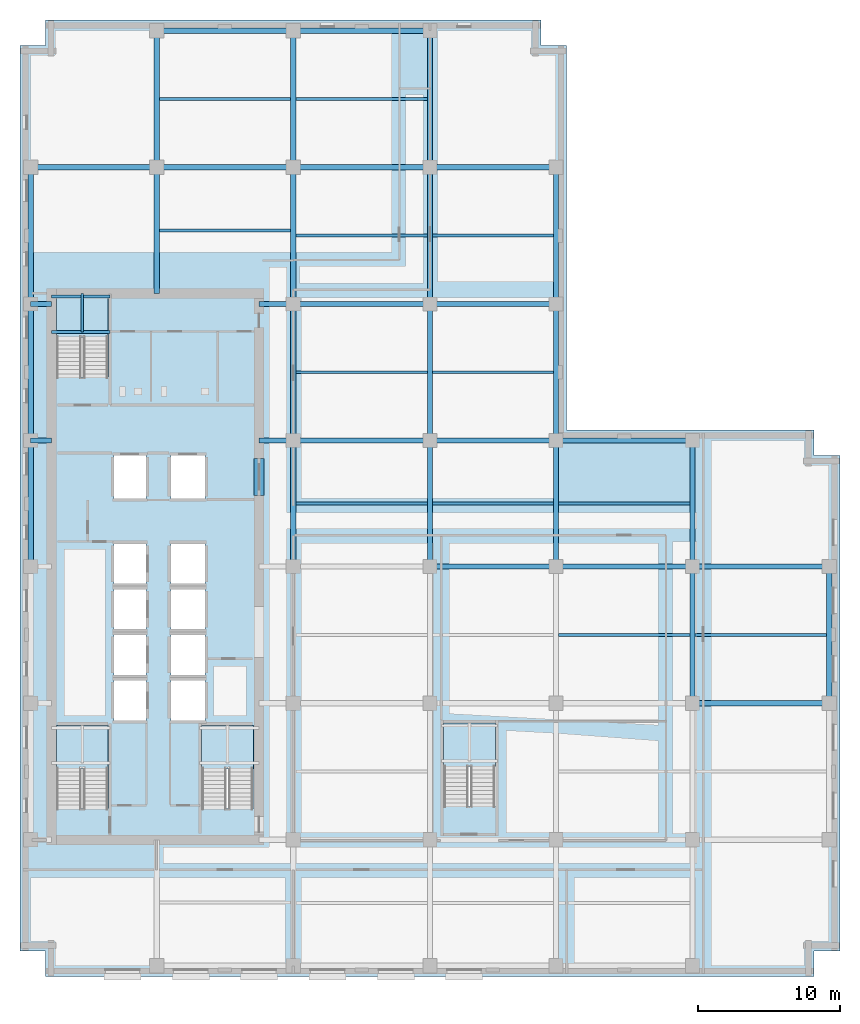
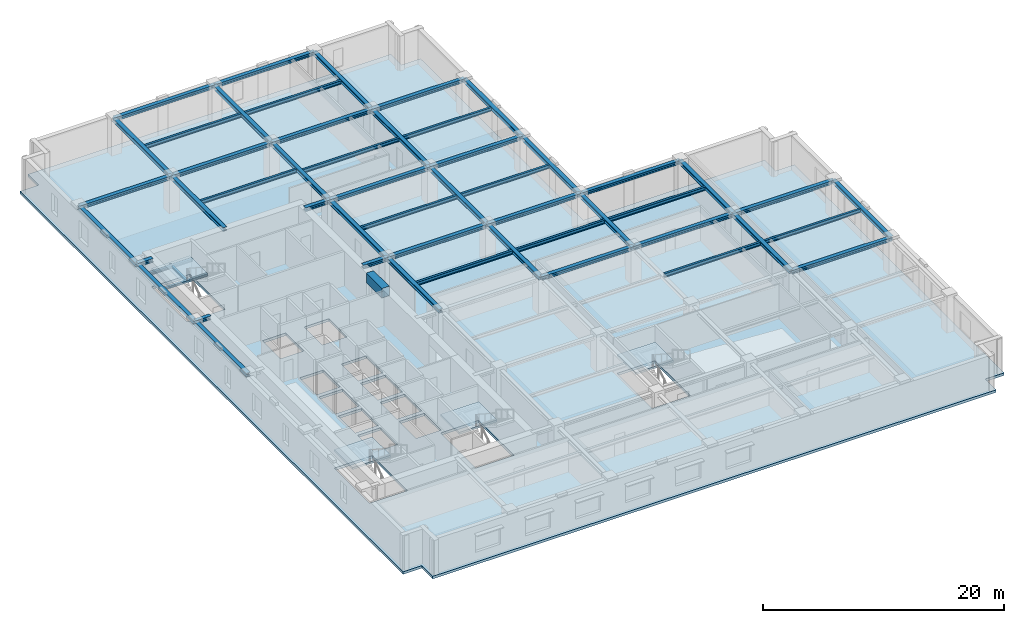
# One storey, part 2 of 12: 54 beams, 5 slabs, 4 elements without a shape of their own.
"""IFC4 building model written with IfcOpenShell, lengths in metres."""

import ifcopenshell
import ifcopenshell.guid

model = None  # the IFC model being written
_history = None  # IfcOwnerHistory: only IFC2X3 demands one
_inside = {}  # id of a spatial element -> (the spatial element, [elements in it])
_under = {}  # id of a project, library or spatial element -> (it, [spatial elements below it])
_declared = {}  # id of a project -> (the project, [libraries it declares])
_typed = {}  # id of a type object -> (the type object, [elements of that type])
_made_of = {}  # id of a material, layer set ... -> (it, [elements and type objects made of it])


def new_model(schema):
    """Start an empty IFC model of exactly this schema.

    Asked for "IFC4X3", IfcOpenShell would pick the latest addendum, in which some entities
    have other attributes; the version numbers below select the first issue.
    IFC2X3 requires an IfcOwnerHistory on every rooted entity: one is made here for all.
    """
    global model, _history
    if schema == "IFC4X3":
        model = ifcopenshell.file(schema_version=(4, 3, 0, 0))
    else:
        model = ifcopenshell.file(schema=schema)
    _inside.clear()
    _under.clear()
    _declared.clear()
    _typed.clear()
    _made_of.clear()
    _history = None
    if model.schema == "IFC2X3":
        org = make("IfcOrganization", Name="unknown")
        user = make(
            "IfcPersonAndOrganization",
            ThePerson=make("IfcPerson", FamilyName="unknown"),
            TheOrganization=org,
        )
        app = make(
            "IfcApplication",
            ApplicationDeveloper=org,
            Version="unknown",
            ApplicationFullName="unknown",
            ApplicationIdentifier="unknown",
        )
        _history = make(
            "IfcOwnerHistory",
            OwningUser=user,
            OwningApplication=app,
            ChangeAction="ADDED",
            CreationDate=0,
        )
    return model


def make(cls, **values):
    """One entity of the class cls with the attributes given. An attribute that is None is left unset."""
    return model.create_entity(
        cls, **{name: value for name, value in values.items() if value is not None}
    )


def rooted(cls, **values):
    """An entity with a GlobalId (a new one), such as an element, a storey or a relation."""
    return make(cls, GlobalId=ifcopenshell.guid.new(), OwnerHistory=_history, **values)


def si_unit(unit_type, name, prefix=None):
    """IfcSIUnit, for example si_unit("LENGTHUNIT", "METRE", prefix="MILLI")."""
    return make("IfcSIUnit", UnitType=unit_type, Prefix=prefix, Name=name)


def assignment(units):
    """IfcUnitAssignment: the units of a project."""
    return None if units is None else make("IfcUnitAssignment", Units=units)


def point(xyz):
    """IfcCartesianPoint."""
    return None if xyz is None else make("IfcCartesianPoint", Coordinates=xyz)


def direction(xyz):
    """IfcDirection."""
    return None if xyz is None else make("IfcDirection", DirectionRatios=xyz)


def frame(location, z_axis=None, x_axis=None):
    """IfcAxis2Placement3D, a coordinate frame: its origin and axes. An axis left out is left unset."""
    return make(
        "IfcAxis2Placement3D",
        Location=point(location),
        Axis=direction(z_axis),
        RefDirection=direction(x_axis),
    )


def frame_2d(location, x_axis=None):
    """IfcAxis2Placement2D, a coordinate frame in the plane: its origin and x axis."""
    return make(
        "IfcAxis2Placement2D", Location=point(location), RefDirection=direction(x_axis)
    )


def origin():
    """The frame at (0, 0, 0) with its axes left unset."""
    return frame((0.0, 0.0, 0.0))


def origin_2d():
    """The frame at (0, 0) in the plane with its x axis left unset."""
    return frame_2d((0.0, 0.0))


def place(relative_to, where):
    """IfcLocalPlacement: puts the frame where relative to a parent placement (None: the world)."""
    return make(
        "IfcLocalPlacement", PlacementRelTo=relative_to, RelativePlacement=where
    )


def context(
    kind, dimensions, precision=None, world=None, true_north=None, identifier=None
):
    """IfcGeometricRepresentationContext, for example the 3D "Model" context."""
    return make(
        "IfcGeometricRepresentationContext",
        ContextIdentifier=identifier,
        ContextType=kind,
        CoordinateSpaceDimension=dimensions,
        Precision=precision,
        WorldCoordinateSystem=world,
        TrueNorth=true_north,
    )


def subcontext(parent, identifier, kind, view, scale=None):
    """IfcGeometricRepresentationSubContext, for example "Body" below "Model"."""
    return make(
        "IfcGeometricRepresentationSubContext",
        ContextIdentifier=identifier,
        ContextType=kind,
        ParentContext=parent,
        TargetScale=scale,
        TargetView=view,
    )


def project(units=None, contexts=None):
    """IfcProject with its units and contexts."""
    return rooted(
        "IfcProject",
        Name="project",
        RepresentationContexts=contexts,
        UnitsInContext=assignment(units),
    )


def spatial(cls, under=None, at=None, **own):
    """A site, building, storey or space (cls), placed at a placement, below another one or the project."""
    s = rooted(cls, ObjectPlacement=at, **own)
    if under is not None:
        _under.setdefault(under.id(), (under, []))[1].append(s)
    return s


def polyline(points):
    """IfcPolyline through the points."""
    return make("IfcPolyline", Points=[point(p) for p in points])


def profile(cls, at=None, kind="AREA", **sizes):
    """A parametric profile (cls). Its sizes go by their IFC names, for example OverallWidth=200.0."""
    return make(cls, ProfileType=kind, Position=at, **sizes)


def rectangle(**sizes):
    """IfcRectangleProfileDef."""
    return profile("IfcRectangleProfileDef", **sizes)


def i_section(**sizes):
    """IfcIShapeProfileDef."""
    return profile("IfcIShapeProfileDef", **sizes)


def outline(outer, holes=None, kind="AREA"):
    """IfcArbitraryClosedProfileDef: a profile drawn as a closed curve; with holes, ...WithVoids."""
    if holes is None:
        return make("IfcArbitraryClosedProfileDef", ProfileType=kind, OuterCurve=outer)
    return make(
        "IfcArbitraryProfileDefWithVoids",
        ProfileType=kind,
        OuterCurve=outer,
        InnerCurves=holes,
    )


def extrude(swept, where, along, depth):
    """IfcExtrudedAreaSolid: the profile swept, set in the frame where, extruded along a direction by depth."""
    return make(
        "IfcExtrudedAreaSolid",
        SweptArea=swept,
        Position=where,
        ExtrudedDirection=direction(along),
        Depth=depth,
    )


def shape(context_of_items, identifier, shape_type, items):
    """IfcShapeRepresentation: the items that make up one representation, for example the "Body"."""
    return make(
        "IfcShapeRepresentation",
        ContextOfItems=context_of_items,
        RepresentationIdentifier=identifier,
        RepresentationType=shape_type,
        Items=items,
    )


def material(Name=None, Category=None):
    """IfcMaterial."""
    return make("IfcMaterial", Name=Name, Category=Category)


def layer(
    of_material, thickness, ventilated=None, Name=None, Category=None, Priority=None
):
    """IfcMaterialLayer: one layer of a wall or slab, of a material (None: an air gap)."""
    return make(
        "IfcMaterialLayer",
        Material=of_material,
        LayerThickness=thickness,
        IsVentilated=ventilated,
        Name=Name,
        Category=Category,
        Priority=Priority,
    )


def layer_set(layers, Name=None):
    """IfcMaterialLayerSet."""
    return make("IfcMaterialLayerSet", MaterialLayers=layers, LayerSetName=Name)


def material_profile(
    of_material, cross_section, Name=None, Category=None, Priority=None
):
    """IfcMaterialProfile: a cross section and its material."""
    return make(
        "IfcMaterialProfile",
        Name=Name,
        Material=of_material,
        Profile=cross_section,
        Priority=Priority,
        Category=Category,
    )


def profile_set(profiles, Name=None, composite=None):
    """IfcMaterialProfileSet."""
    return make(
        "IfcMaterialProfileSet",
        Name=Name,
        MaterialProfiles=profiles,
        CompositeProfile=composite,
    )


def made_of(thing, what):
    """Note that an element or type object is made of a material, layer set ...; save() writes the relation."""
    if what is not None:
        _made_of.setdefault(what.id(), (what, []))[1].append(thing)
    return thing


def type_object(cls, material=None, **own):
    """A type object (cls), such as IfcWallType, which elements share."""
    return made_of(rooted(cls, **own), material)


def element(
    cls,
    number,
    at=None,
    inside=None,
    cuts=None,
    type_object=None,
    material=None,
    context=None,
    identifier="Body",
    shape_type=None,
    held_by="IfcProductDefinitionShape",
    body=None,
    shapes=None,
    **own,
):
    """One element of the class cls, such as IfcWall. Its Tag is "e" and its number.

    at: its placement. inside: the storey or other place that contains it. cuts: it is an
    opening in that element (IfcRelVoidsElement). A single representation is given by context,
    identifier, shape_type and body (its items); several are given by shapes. held_by: the class
    of the entity that holds the representations. save() writes the other relations.
    """
    e = rooted(cls, Tag="e%d" % number, ObjectPlacement=at, **own)
    if body is not None:
        shapes = [shape(context, identifier, shape_type, body)]
    if shapes is not None:
        e.Representation = make(held_by, Representations=shapes)
    if inside is not None:
        _inside.setdefault(inside.id(), (inside, []))[1].append(e)
    if cuts is not None:
        rooted(
            "IfcRelVoidsElement", RelatingBuildingElement=cuts, RelatedOpeningElement=e
        )
    if type_object is not None:
        _typed.setdefault(type_object.id(), (type_object, []))[1].append(e)
    return made_of(e, material)


def aggregate(whole, parts):
    """IfcRelAggregates: a whole, such as a stair, and the parts it consists of."""
    return rooted("IfcRelAggregates", RelatingObject=whole, RelatedObjects=parts)


def save(model, path):
    """Write the relations noted so far, then the file.

    IfcRelAggregates (storeys below a building ...), IfcRelContainedInSpatialStructure (elements
    in a storey), IfcRelDefinesByType, IfcRelAssociatesMaterial and IfcRelDeclares: one each for
    every whole, place, type object, material and project.
    """
    for whole, parts in _under.values():
        aggregate(whole, parts)
    for where, things in _inside.values():
        rooted(
            "IfcRelContainedInSpatialStructure",
            RelatedElements=things,
            RelatingStructure=where,
        )
    for kind, things in _typed.values():
        rooted("IfcRelDefinesByType", RelatedObjects=things, RelatingType=kind)
    for what, things in _made_of.values():
        rooted("IfcRelAssociatesMaterial", RelatedObjects=things, RelatingMaterial=what)
    for by, libraries in _declared.values():
        rooted("IfcRelDeclares", RelatingContext=by, RelatedDefinitions=libraries)
    model.write(path)


model = new_model("IFC4")

# Units and contexts
model_context = context("Model", 3, precision=1e-05, world=origin(), true_north=direction((0.0, 1.0)))
body_context = subcontext(model_context, "Body", "Model", "MODEL_VIEW")
ifc_project = project(units=[si_unit("LENGTHUNIT", "METRE"), si_unit("AREAUNIT", "SQUARE_METRE"), si_unit("VOLUMEUNIT", "CUBIC_METRE"), si_unit("PLANEANGLEUNIT", "RADIAN"), si_unit("MASSUNIT", "GRAM", prefix="KILO")], contexts=[model_context])

# Site, building, storey
site_placement = place(None, origin())
site = spatial("IfcSite", under=ifc_project, at=site_placement, CompositionType="ELEMENT")
building_placement = place(site_placement, origin())
building = spatial("IfcBuilding", under=site, at=building_placement, Name="Norrvale University Quadrangle", CompositionType="ELEMENT")
storey_placement = place(building_placement, frame((0.0, 0.0, 105.199951171875)))
storey = spatial("IfcBuildingStorey", under=building, at=storey_placement, Name="L26", CompositionType="ELEMENT", Elevation=105.199951171875)

# Beams
ifc_material_1 = material(Name="Concrete C80/95", Category="concrete")
ifc_material_profile_1 = material_profile(ifc_material_1, rectangle(XDim=0.699951171875, YDim=0.949951171875, at=origin_2d()), Name="Concrete C80/95")
ifc_profile_set_1 = profile_set([ifc_material_profile_1], Name="Concrete C80/95")
beam_type_1 = type_object("IfcBeamType", Name="Beam Core Link 700x950", PredefinedType="LINTEL", material=ifc_profile_set_1)
beam_1_placement = place(storey_placement, frame((16.800048828125, 33.800048828125, 3.06494140625), z_axis=(0.0, 1.0, 0.0), x_axis=(-1.0, 0.0, 0.0)))
element("IfcBeam", 1, at=beam_1_placement, inside=storey, type_object=beam_type_1, Name="Core Coupling Lintel Beam L26-2", PredefinedType="LINTEL", context=body_context, shape_type="SweptSolid", body=[
    extrude(rectangle(XDim=0.699951171875, YDim=0.949951171875, at=origin_2d()), origin(), (0.0, 0.0, 1.0), 2.599853515625),
])
ifc_material_2 = material(Name="Steel 350W", Category="steel")
ifc_material_profile_2 = material_profile(ifc_material_2, i_section(OverallWidth=0.368896484375, OverallDepth=0.35595703125, WebThickness=0.01123046875, FlangeThickness=0.01806640625, FilletRadius=0.014892578125, at=origin_2d()), Name="Steel 350W")
ifc_profile_set_2 = profile_set([ifc_material_profile_2], Name="Steel 350W")
beam_type_2 = type_object("IfcBeamType", Name="Beam Crown W360x134", PredefinedType="BEAM", material=ifc_profile_set_2)
beam_2_placement = place(storey_placement, frame((47.25, 19.199951171875, 3.362060546875), z_axis=(1.0, 0.0, 0.0), x_axis=(0.0, 1.0, 0.0)))
element("IfcBeam", 2, at=beam_2_placement, inside=storey, type_object=beam_type_2, Name="Beam Crown W360x134 BM-L26-GX012", PredefinedType="BEAM", context=body_context, shape_type="SweptSolid", body=[
    extrude(i_section(OverallWidth=0.368896484375, OverallDepth=0.35595703125, WebThickness=0.01123046875, FlangeThickness=0.01806640625, FilletRadius=0.014892578125, at=origin_2d()), origin(), (0.0, 0.0, 1.0), 9.60009765625),
])
beam_3_placement = place(storey_placement, frame((28.800048828125, 28.800048828125, 3.362060546875), z_axis=(1.0, 0.0, 0.0), x_axis=(0.0, 1.0, 0.0)))
element("IfcBeam", 3, at=beam_3_placement, inside=storey, type_object=beam_type_2, Name="Beam Crown W360x134 BM-L26-GX014", PredefinedType="BEAM", context=body_context, shape_type="SweptSolid", body=[
    extrude(i_section(OverallWidth=0.368896484375, OverallDepth=0.35595703125, WebThickness=0.01123046875, FlangeThickness=0.01806640625, FilletRadius=0.014892578125, at=origin_2d()), origin(), (0.0, 0.0, 1.0), 8.849853515625),
])
for number, where, z_axis, x_axis, name in (
    (4, (37.64990234375, 28.800048828125, 3.362060546875), (1.0, 0.0, 0.0), (0.0, 1.0, 0.0), "Beam Crown W360x134 BM-L26-GX015"),
    (5, (47.25, 28.800048828125, 3.362060546875), (1.0, 0.0, 0.0), (0.0, 1.0, 0.0), "Beam Crown W360x134 BM-L26-GX016"),
    (6, (19.199951171875, 37.64990234375, 3.362060546875), (1.0, 0.0, 0.0), (0.0, 1.0, 0.0), "Beam Crown W360x134 BM-L26-GX017"),
):
    element("IfcBeam", number, at=place(storey_placement, frame(where, z_axis=z_axis, x_axis=x_axis)), inside=storey, type_object=beam_type_2, Name=name, PredefinedType="BEAM", context=body_context, shape_type="SweptSolid", body=[
        extrude(i_section(OverallWidth=0.368896484375, OverallDepth=0.35595703125, WebThickness=0.01123046875, FlangeThickness=0.01806640625, FilletRadius=0.014892578125, at=origin_2d()), origin(), (0.0, 0.0, 1.0), 9.60009765625),
    ])
beam_4_placement = place(storey_placement, frame((28.800048828125, 37.64990234375, 3.362060546875), z_axis=(1.0, 0.0, 0.0), x_axis=(0.0, 1.0, 0.0)))
element("IfcBeam", 7, at=beam_4_placement, inside=storey, type_object=beam_type_2, Name="Beam Crown W360x134 BM-L26-GX018", PredefinedType="BEAM", context=body_context, shape_type="SweptSolid", body=[
    extrude(i_section(OverallWidth=0.368896484375, OverallDepth=0.35595703125, WebThickness=0.01123046875, FlangeThickness=0.01806640625, FilletRadius=0.014892578125, at=origin_2d()), origin(), (0.0, 0.0, 1.0), 8.849853515625),
])
for number, where, z_axis, x_axis, name in (
    (8, (37.64990234375, 37.64990234375, 3.362060546875), (1.0, 0.0, 0.0), (0.0, 1.0, 0.0), "Beam Crown W360x134 BM-L26-GX019"),
    (9, (19.199951171875, 47.25, 3.362060546875), (1.0, 0.0, 0.0), (0.0, 1.0, 0.0), "Beam Crown W360x134 BM-L26-GX020"),
):
    element("IfcBeam", number, at=place(storey_placement, frame(where, z_axis=z_axis, x_axis=x_axis)), inside=storey, type_object=beam_type_2, Name=name, PredefinedType="BEAM", context=body_context, shape_type="SweptSolid", body=[
        extrude(i_section(OverallWidth=0.368896484375, OverallDepth=0.35595703125, WebThickness=0.01123046875, FlangeThickness=0.01806640625, FilletRadius=0.014892578125, at=origin_2d()), origin(), (0.0, 0.0, 1.0), 9.60009765625),
    ])
beam_5_placement = place(storey_placement, frame((28.800048828125, 47.25, 3.362060546875), z_axis=(1.0, 0.0, 0.0), x_axis=(0.0, 1.0, 0.0)))
element("IfcBeam", 10, at=beam_5_placement, inside=storey, type_object=beam_type_2, Name="Beam Crown W360x134 BM-L26-GX021", PredefinedType="BEAM", context=body_context, shape_type="SweptSolid", body=[
    extrude(i_section(OverallWidth=0.368896484375, OverallDepth=0.35595703125, WebThickness=0.01123046875, FlangeThickness=0.01806640625, FilletRadius=0.014892578125, at=origin_2d()), origin(), (0.0, 0.0, 1.0), 8.849853515625),
])
beam_6_placement = place(storey_placement, frame((0.75, 56.85009765625, 3.362060546875), z_axis=(1.0, 0.0, 0.0), x_axis=(0.0, 1.0, 0.0)))
element("IfcBeam", 11, at=beam_6_placement, inside=storey, type_object=beam_type_2, Name="Beam Crown W360x134 BM-L26-GX022", PredefinedType="BEAM", context=body_context, shape_type="SweptSolid", body=[
    extrude(i_section(OverallWidth=0.368896484375, OverallDepth=0.35595703125, WebThickness=0.01123046875, FlangeThickness=0.01806640625, FilletRadius=0.014892578125, at=origin_2d()), origin(), (0.0, 0.0, 1.0), 8.85009765625),
])
beam_7_placement = place(storey_placement, frame((9.60009765625, 56.85009765625, 3.362060546875), z_axis=(1.0, 0.0, 0.0), x_axis=(0.0, 1.0, 0.0)))
element("IfcBeam", 12, at=beam_7_placement, inside=storey, type_object=beam_type_2, Name="Beam Crown W360x134 BM-L26-GX023", PredefinedType="BEAM", context=body_context, shape_type="SweptSolid", body=[
    extrude(i_section(OverallWidth=0.368896484375, OverallDepth=0.35595703125, WebThickness=0.01123046875, FlangeThickness=0.01806640625, FilletRadius=0.014892578125, at=origin_2d()), origin(), (0.0, 0.0, 1.0), 9.599853515625),
])
beam_8_placement = place(storey_placement, frame((19.199951171875, 56.85009765625, 3.362060546875), z_axis=(1.0, 0.0, 0.0), x_axis=(0.0, 1.0, 0.0)))
element("IfcBeam", 13, at=beam_8_placement, inside=storey, type_object=beam_type_2, Name="Beam Crown W360x134 BM-L26-GX024", PredefinedType="BEAM", context=body_context, shape_type="SweptSolid", body=[
    extrude(i_section(OverallWidth=0.368896484375, OverallDepth=0.35595703125, WebThickness=0.01123046875, FlangeThickness=0.01806640625, FilletRadius=0.014892578125, at=origin_2d()), origin(), (0.0, 0.0, 1.0), 9.60009765625),
])
beam_9_placement = place(storey_placement, frame((28.800048828125, 56.85009765625, 3.362060546875), z_axis=(1.0, 0.0, 0.0), x_axis=(0.0, 1.0, 0.0)))
element("IfcBeam", 14, at=beam_9_placement, inside=storey, type_object=beam_type_2, Name="Beam Crown W360x134 BM-L26-GX025", PredefinedType="BEAM", context=body_context, shape_type="SweptSolid", body=[
    extrude(i_section(OverallWidth=0.368896484375, OverallDepth=0.35595703125, WebThickness=0.01123046875, FlangeThickness=0.01806640625, FilletRadius=0.014892578125, at=origin_2d()), origin(), (0.0, 0.0, 1.0), 8.849853515625),
])
beam_10_placement = place(storey_placement, frame((9.60009765625, 66.449951171875, 3.362060546875), z_axis=(1.0, 0.0, 0.0), x_axis=(0.0, 1.0, 0.0)))
element("IfcBeam", 15, at=beam_10_placement, inside=storey, type_object=beam_type_2, Name="Beam Crown W360x134 BM-L26-GX026", PredefinedType="BEAM", context=body_context, shape_type="SweptSolid", body=[
    extrude(i_section(OverallWidth=0.368896484375, OverallDepth=0.35595703125, WebThickness=0.01123046875, FlangeThickness=0.01806640625, FilletRadius=0.014892578125, at=origin_2d()), origin(), (0.0, 0.0, 1.0), 9.599853515625),
])
beam_11_placement = place(storey_placement, frame((19.199951171875, 66.449951171875, 3.362060546875), z_axis=(1.0, 0.0, 0.0), x_axis=(0.0, 1.0, 0.0)))
element("IfcBeam", 16, at=beam_11_placement, inside=storey, type_object=beam_type_2, Name="Beam Crown W360x134 BM-L26-GX027", PredefinedType="BEAM", context=body_context, shape_type="SweptSolid", body=[
    extrude(i_section(OverallWidth=0.368896484375, OverallDepth=0.35595703125, WebThickness=0.01123046875, FlangeThickness=0.01806640625, FilletRadius=0.014892578125, at=origin_2d()), origin(), (0.0, 0.0, 1.0), 9.60009765625),
])
beam_12_placement = place(storey_placement, frame((0.75, 28.800048828125, 3.362060546875), z_axis=(0.0, 1.0, 0.0), x_axis=(-1.0, 0.0, 0.0)))
element("IfcBeam", 17, at=beam_12_placement, inside=storey, type_object=beam_type_2, Name="Beam Crown W360x134 BM-L26-GY030", PredefinedType="BEAM", context=body_context, shape_type="SweptSolid", body=[
    extrude(i_section(OverallWidth=0.368896484375, OverallDepth=0.35595703125, WebThickness=0.01123046875, FlangeThickness=0.01806640625, FilletRadius=0.014892578125, at=origin_2d()), origin(), (0.0, 0.0, 1.0), 8.849853515625),
])
for number, where, z_axis, x_axis, name in (
    (18, (0.75, 37.64990234375, 3.362060546875), (0.0, 1.0, 0.0), (-1.0, 0.0, 0.0), "Beam Crown W360x134 BM-L26-GY031"),
    (19, (0.75, 47.25, 3.362060546875), (0.0, 1.0, 0.0), (-1.0, 0.0, 0.0), "Beam Crown W360x134 BM-L26-GY032"),
):
    element("IfcBeam", number, at=place(storey_placement, frame(where, z_axis=z_axis, x_axis=x_axis)), inside=storey, type_object=beam_type_2, Name=name, PredefinedType="BEAM", context=body_context, shape_type="SweptSolid", body=[
        extrude(i_section(OverallWidth=0.368896484375, OverallDepth=0.35595703125, WebThickness=0.01123046875, FlangeThickness=0.01806640625, FilletRadius=0.014892578125, at=origin_2d()), origin(), (0.0, 0.0, 1.0), 9.60009765625),
    ])
beam_13_placement = place(storey_placement, frame((9.60009765625, 56.85009765625, 3.362060546875), z_axis=(0.0, 1.0, 0.0), x_axis=(-1.0, 0.0, 0.0)))
element("IfcBeam", 20, at=beam_13_placement, inside=storey, type_object=beam_type_2, Name="Beam Crown W360x134 BM-L26-GY033", PredefinedType="BEAM", context=body_context, shape_type="SweptSolid", body=[
    extrude(i_section(OverallWidth=0.368896484375, OverallDepth=0.35595703125, WebThickness=0.01123046875, FlangeThickness=0.01806640625, FilletRadius=0.014892578125, at=origin_2d()), origin(), (0.0, 0.0, 1.0), 9.599853515625),
])
beam_14_placement = place(storey_placement, frame((19.199951171875, 28.800048828125, 3.362060546875), z_axis=(0.0, 1.0, 0.0), x_axis=(-1.0, 0.0, 0.0)))
element("IfcBeam", 21, at=beam_14_placement, inside=storey, type_object=beam_type_2, Name="Beam Crown W360x134 BM-L26-GY037", PredefinedType="BEAM", context=body_context, shape_type="SweptSolid", body=[
    extrude(i_section(OverallWidth=0.368896484375, OverallDepth=0.35595703125, WebThickness=0.01123046875, FlangeThickness=0.01806640625, FilletRadius=0.014892578125, at=origin_2d()), origin(), (0.0, 0.0, 1.0), 8.849853515625),
])
for number, where, z_axis, x_axis, name in (
    (22, (19.199951171875, 37.64990234375, 3.362060546875), (0.0, 1.0, 0.0), (-1.0, 0.0, 0.0), "Beam Crown W360x134 BM-L26-GY038"),
    (23, (19.199951171875, 47.25, 3.362060546875), (0.0, 1.0, 0.0), (-1.0, 0.0, 0.0), "Beam Crown W360x134 BM-L26-GY039"),
):
    element("IfcBeam", number, at=place(storey_placement, frame(where, z_axis=z_axis, x_axis=x_axis)), inside=storey, type_object=beam_type_2, Name=name, PredefinedType="BEAM", context=body_context, shape_type="SweptSolid", body=[
        extrude(i_section(OverallWidth=0.368896484375, OverallDepth=0.35595703125, WebThickness=0.01123046875, FlangeThickness=0.01806640625, FilletRadius=0.014892578125, at=origin_2d()), origin(), (0.0, 0.0, 1.0), 9.60009765625),
    ])
beam_15_placement = place(storey_placement, frame((19.199951171875, 56.85009765625, 3.362060546875), z_axis=(0.0, 1.0, 0.0), x_axis=(-1.0, 0.0, 0.0)))
element("IfcBeam", 24, at=beam_15_placement, inside=storey, type_object=beam_type_2, Name="Beam Crown W360x134 BM-L26-GY040", PredefinedType="BEAM", context=body_context, shape_type="SweptSolid", body=[
    extrude(i_section(OverallWidth=0.368896484375, OverallDepth=0.35595703125, WebThickness=0.01123046875, FlangeThickness=0.01806640625, FilletRadius=0.014892578125, at=origin_2d()), origin(), (0.0, 0.0, 1.0), 9.599853515625),
])
beam_16_placement = place(storey_placement, frame((28.800048828125, 28.800048828125, 3.362060546875), z_axis=(0.0, 1.0, 0.0), x_axis=(-1.0, 0.0, 0.0)))
element("IfcBeam", 25, at=beam_16_placement, inside=storey, type_object=beam_type_2, Name="Beam Crown W360x134 BM-L26-GY044", PredefinedType="BEAM", context=body_context, shape_type="SweptSolid", body=[
    extrude(i_section(OverallWidth=0.368896484375, OverallDepth=0.35595703125, WebThickness=0.01123046875, FlangeThickness=0.01806640625, FilletRadius=0.014892578125, at=origin_2d()), origin(), (0.0, 0.0, 1.0), 8.849853515625),
])
for number, where, z_axis, x_axis, name in (
    (26, (28.800048828125, 37.64990234375, 3.362060546875), (0.0, 1.0, 0.0), (-1.0, 0.0, 0.0), "Beam Crown W360x134 BM-L26-GY045"),
    (27, (28.800048828125, 47.25, 3.362060546875), (0.0, 1.0, 0.0), (-1.0, 0.0, 0.0), "Beam Crown W360x134 BM-L26-GY046"),
):
    element("IfcBeam", number, at=place(storey_placement, frame(where, z_axis=z_axis, x_axis=x_axis)), inside=storey, type_object=beam_type_2, Name=name, PredefinedType="BEAM", context=body_context, shape_type="SweptSolid", body=[
        extrude(i_section(OverallWidth=0.368896484375, OverallDepth=0.35595703125, WebThickness=0.01123046875, FlangeThickness=0.01806640625, FilletRadius=0.014892578125, at=origin_2d()), origin(), (0.0, 0.0, 1.0), 9.60009765625),
    ])
beam_17_placement = place(storey_placement, frame((28.800048828125, 56.85009765625, 3.362060546875), z_axis=(0.0, 1.0, 0.0), x_axis=(-1.0, 0.0, 0.0)))
element("IfcBeam", 28, at=beam_17_placement, inside=storey, type_object=beam_type_2, Name="Beam Crown W360x134 BM-L26-GY047", PredefinedType="BEAM", context=body_context, shape_type="SweptSolid", body=[
    extrude(i_section(OverallWidth=0.368896484375, OverallDepth=0.35595703125, WebThickness=0.01123046875, FlangeThickness=0.01806640625, FilletRadius=0.014892578125, at=origin_2d()), origin(), (0.0, 0.0, 1.0), 9.599853515625),
])
beam_18_placement = place(storey_placement, frame((37.64990234375, 28.800048828125, 3.362060546875), z_axis=(0.0, 1.0, 0.0), x_axis=(-1.0, 0.0, 0.0)))
element("IfcBeam", 29, at=beam_18_placement, inside=storey, type_object=beam_type_2, Name="Beam Crown W360x134 BM-L26-GY051", PredefinedType="BEAM", context=body_context, shape_type="SweptSolid", body=[
    extrude(i_section(OverallWidth=0.368896484375, OverallDepth=0.35595703125, WebThickness=0.01123046875, FlangeThickness=0.01806640625, FilletRadius=0.014892578125, at=origin_2d()), origin(), (0.0, 0.0, 1.0), 8.849853515625),
])
for number, where, z_axis, x_axis, name in (
    (30, (37.64990234375, 37.64990234375, 3.362060546875), (0.0, 1.0, 0.0), (-1.0, 0.0, 0.0), "Beam Crown W360x134 BM-L26-GY052"),
    (31, (37.64990234375, 47.25, 3.362060546875), (0.0, 1.0, 0.0), (-1.0, 0.0, 0.0), "Beam Crown W360x134 BM-L26-GY053"),
    (32, (47.25, 19.199951171875, 3.362060546875), (0.0, 1.0, 0.0), (-1.0, 0.0, 0.0), "Beam Crown W360x134 BM-L26-GY056"),
):
    element("IfcBeam", number, at=place(storey_placement, frame(where, z_axis=z_axis, x_axis=x_axis)), inside=storey, type_object=beam_type_2, Name=name, PredefinedType="BEAM", context=body_context, shape_type="SweptSolid", body=[
        extrude(i_section(OverallWidth=0.368896484375, OverallDepth=0.35595703125, WebThickness=0.01123046875, FlangeThickness=0.01806640625, FilletRadius=0.014892578125, at=origin_2d()), origin(), (0.0, 0.0, 1.0), 9.60009765625),
    ])
beam_19_placement = place(storey_placement, frame((47.25, 28.800048828125, 3.362060546875), z_axis=(0.0, 1.0, 0.0), x_axis=(-1.0, 0.0, 0.0)))
element("IfcBeam", 33, at=beam_19_placement, inside=storey, type_object=beam_type_2, Name="Beam Crown W360x134 BM-L26-GY057", PredefinedType="BEAM", context=body_context, shape_type="SweptSolid", body=[
    extrude(i_section(OverallWidth=0.368896484375, OverallDepth=0.35595703125, WebThickness=0.01123046875, FlangeThickness=0.01806640625, FilletRadius=0.014892578125, at=origin_2d()), origin(), (0.0, 0.0, 1.0), 8.849853515625),
])
beam_20_placement = place(storey_placement, frame((56.85009765625, 19.199951171875, 3.362060546875), z_axis=(0.0, 1.0, 0.0), x_axis=(-1.0, 0.0, 0.0)))
element("IfcBeam", 34, at=beam_20_placement, inside=storey, type_object=beam_type_2, Name="Beam Crown W360x134 BM-L26-GY059", PredefinedType="BEAM", context=body_context, shape_type="SweptSolid", body=[
    extrude(i_section(OverallWidth=0.368896484375, OverallDepth=0.35595703125, WebThickness=0.01123046875, FlangeThickness=0.01806640625, FilletRadius=0.014892578125, at=origin_2d()), origin(), (0.0, 0.0, 1.0), 9.60009765625),
])
beam_21_placement = place(storey_placement, frame((0.75, 37.64990234375, 3.362060546875), z_axis=(1.0, 0.0, 0.0), x_axis=(0.0, 1.0, 0.0)))
element("IfcBeam", 35, at=beam_21_placement, inside=storey, type_object=beam_type_2, Name="Beam Crown W360x134 BM-L26-GCW066", PredefinedType="BEAM", context=body_context, shape_type="SweptSolid", body=[
    extrude(i_section(OverallWidth=0.368896484375, OverallDepth=0.35595703125, WebThickness=0.01123046875, FlangeThickness=0.01806640625, FilletRadius=0.014892578125, at=origin_2d()), origin(), (0.0, 0.0, 1.0), 1.449951171875),
])
beam_22_placement = place(storey_placement, frame((16.800048828125, 37.64990234375, 3.362060546875), z_axis=(1.0, 0.0, 0.0), x_axis=(0.0, 1.0, 0.0)))
element("IfcBeam", 36, at=beam_22_placement, inside=storey, type_object=beam_type_2, Name="Beam Crown W360x134 BM-L26-GCE067", PredefinedType="BEAM", context=body_context, shape_type="SweptSolid", body=[
    extrude(i_section(OverallWidth=0.368896484375, OverallDepth=0.35595703125, WebThickness=0.01123046875, FlangeThickness=0.01806640625, FilletRadius=0.014892578125, at=origin_2d()), origin(), (0.0, 0.0, 1.0), 2.39990234375),
])
beam_23_placement = place(storey_placement, frame((0.75, 47.25, 3.362060546875), z_axis=(1.0, 0.0, 0.0), x_axis=(0.0, 1.0, 0.0)))
element("IfcBeam", 37, at=beam_23_placement, inside=storey, type_object=beam_type_2, Name="Beam Crown W360x134 BM-L26-GCW068", PredefinedType="BEAM", context=body_context, shape_type="SweptSolid", body=[
    extrude(i_section(OverallWidth=0.368896484375, OverallDepth=0.35595703125, WebThickness=0.01123046875, FlangeThickness=0.01806640625, FilletRadius=0.014892578125, at=origin_2d()), origin(), (0.0, 0.0, 1.0), 1.449951171875),
])
beam_24_placement = place(storey_placement, frame((16.800048828125, 47.25, 3.362060546875), z_axis=(1.0, 0.0, 0.0), x_axis=(0.0, 1.0, 0.0)))
element("IfcBeam", 38, at=beam_24_placement, inside=storey, type_object=beam_type_2, Name="Beam Crown W360x134 BM-L26-GCE069", PredefinedType="BEAM", context=body_context, shape_type="SweptSolid", body=[
    extrude(i_section(OverallWidth=0.368896484375, OverallDepth=0.35595703125, WebThickness=0.01123046875, FlangeThickness=0.01806640625, FilletRadius=0.014892578125, at=origin_2d()), origin(), (0.0, 0.0, 1.0), 2.39990234375),
])
beam_25_placement = place(storey_placement, frame((9.60009765625, 48.0, 3.362060546875), z_axis=(0.0, 1.0, 0.0), x_axis=(-1.0, 0.0, 0.0)))
element("IfcBeam", 39, at=beam_25_placement, inside=storey, type_object=beam_type_2, Name="Beam Crown W360x134 BM-L26-GCN091", PredefinedType="BEAM", context=body_context, shape_type="SweptSolid", body=[
    extrude(i_section(OverallWidth=0.368896484375, OverallDepth=0.35595703125, WebThickness=0.01123046875, FlangeThickness=0.01806640625, FilletRadius=0.014892578125, at=origin_2d()), origin(), (0.0, 0.0, 1.0), 8.85009765625),
])
ifc_material_profile_3 = material_profile(ifc_material_2, i_section(OverallWidth=0.205078125, OverallDepth=0.35400390625, WebThickness=0.009521484375, FlangeThickness=0.016845703125, FilletRadius=0.011962890625, at=origin_2d()), Name="Steel 350W")
ifc_profile_set_3 = profile_set([ifc_material_profile_3], Name="Steel 350W")
beam_type_3 = type_object("IfcBeamType", Name="Beam Crown W360x79", PredefinedType="BEAM", material=ifc_profile_set_3)
for number, where, z_axis, x_axis, name in (
    (40, (9.784423828125, 61.64990234375, 3.363037109375), (1.0, 0.0, 0.0), (0.0, 1.0, 0.0), "Beam Crown W360x79 BM-L26-J070"),
    (41, (19.384521484375, 33.22509765625, 3.363037109375), (1.0, 0.0, 0.0), (0.0, 1.0, 0.0), "Beam Crown W360x79 BM-L26-J074"),
    (42, (19.384521484375, 42.449951171875, 3.363037109375), (1.0, 0.0, 0.0), (0.0, 1.0, 0.0), "Beam Crown W360x79 BM-L26-J075"),
    (43, (19.384521484375, 52.050048828125, 3.363037109375), (1.0, 0.0, 0.0), (0.0, 1.0, 0.0), "Beam Crown W360x79 BM-L26-J076"),
    (44, (19.384521484375, 61.64990234375, 3.363037109375), (1.0, 0.0, 0.0), (0.0, 1.0, 0.0), "Beam Crown W360x79 BM-L26-J077"),
):
    element("IfcBeam", number, at=place(storey_placement, frame(where, z_axis=z_axis, x_axis=x_axis)), inside=storey, type_object=beam_type_3, Name=name, PredefinedType="BEAM", context=body_context, shape_type="SweptSolid", body=[
        extrude(i_section(OverallWidth=0.205078125, OverallDepth=0.35400390625, WebThickness=0.009521484375, FlangeThickness=0.016845703125, FilletRadius=0.011962890625, at=origin_2d()), origin(), (0.0, 0.0, 1.0), 9.23095703125),
    ])
for number, where, z_axis, x_axis, name in (
    (45, (28.984619140625, 33.22509765625, 3.363037109375), (1.0, 0.0, 0.0), (0.0, 1.0, 0.0), "Beam Crown W360x79 BM-L26-J080"),
    (46, (28.984619140625, 42.449951171875, 3.363037109375), (1.0, 0.0, 0.0), (0.0, 1.0, 0.0), "Beam Crown W360x79 BM-L26-J081"),
    (47, (28.984619140625, 52.050048828125, 3.363037109375), (1.0, 0.0, 0.0), (0.0, 1.0, 0.0), "Beam Crown W360x79 BM-L26-J082"),
):
    element("IfcBeam", number, at=place(storey_placement, frame(where, z_axis=z_axis, x_axis=x_axis)), inside=storey, type_object=beam_type_3, Name=name, PredefinedType="BEAM", context=body_context, shape_type="SweptSolid", body=[
        extrude(i_section(OverallWidth=0.205078125, OverallDepth=0.35400390625, WebThickness=0.009521484375, FlangeThickness=0.016845703125, FilletRadius=0.011962890625, at=origin_2d()), origin(), (0.0, 0.0, 1.0), 8.48095703125),
    ])
for number, where, z_axis, x_axis, name in (
    (48, (37.83447265625, 24.0, 3.363037109375), (1.0, 0.0, 0.0), (0.0, 1.0, 0.0), "Beam Crown W360x79 BM-L26-J085"),
    (49, (37.83447265625, 33.22509765625, 3.363037109375), (1.0, 0.0, 0.0), (0.0, 1.0, 0.0), "Beam Crown W360x79 BM-L26-J086"),
    (50, (47.4345703125, 24.0, 3.363037109375), (1.0, 0.0, 0.0), (0.0, 1.0, 0.0), "Beam Crown W360x79 BM-L26-J088"),
    (51, (9.784423828125, 52.39990234375, 3.363037109375), (1.0, 0.0, 0.0), (0.0, 1.0, 0.0), "Beam Crown W360x79 BM-L26-JCN092"),
):
    element("IfcBeam", number, at=place(storey_placement, frame(where, z_axis=z_axis, x_axis=x_axis)), inside=storey, type_object=beam_type_3, Name=name, PredefinedType="BEAM", context=body_context, shape_type="SweptSolid", body=[
        extrude(i_section(OverallWidth=0.205078125, OverallDepth=0.35400390625, WebThickness=0.009521484375, FlangeThickness=0.016845703125, FilletRadius=0.011962890625, at=origin_2d()), origin(), (0.0, 0.0, 1.0), 9.23095703125),
    ])
ifc_material_profile_4 = material_profile(ifc_material_2, i_section(OverallWidth=0.201904296875, OverallDepth=0.2470703125, WebThickness=0.00732421875, FlangeThickness=0.010986328125, FilletRadius=0.011962890625, at=origin_2d()), Name="Steel 350W")
ifc_profile_set_4 = profile_set([ifc_material_profile_4], Name="Steel 350W")
beam_type_4 = type_object("IfcBeamType", Name="Beam Stair W250x49", PredefinedType="BEAM", material=ifc_profile_set_4)
for number, where, z_axis, x_axis, name in (
    (52, (2.199951171875, 45.2900390625, 1.57666015625), (1.0, 0.0, 0.0), (0.0, 1.0, 0.0), "Stair Mid-Landing Front Beam ST-02 L26"),
    (53, (2.199951171875, 47.77001953125, 1.57666015625), (1.0, 0.0, 0.0), (0.0, 1.0, 0.0), "Stair Mid-Landing Rear Beam ST-02 L26"),
):
    element("IfcBeam", number, at=place(storey_placement, frame(where, z_axis=z_axis, x_axis=x_axis)), inside=storey, type_object=beam_type_4, Name=name, PredefinedType="BEAM", context=body_context, shape_type="SweptSolid", body=[
        extrude(i_section(OverallWidth=0.201904296875, OverallDepth=0.2470703125, WebThickness=0.00732421875, FlangeThickness=0.010986328125, FilletRadius=0.011962890625, at=origin_2d()), origin(), (0.0, 0.0, 1.0), 4.14013671875),
    ])
ifc_material_profile_5 = material_profile(ifc_material_2, i_section(OverallWidth=0.202880859375, OverallDepth=0.202880859375, WebThickness=0.007080078125, FlangeThickness=0.010986328125, FilletRadius=0.010009765625, at=origin_2d()), Name="Steel 350W")
ifc_profile_set_5 = profile_set([ifc_material_profile_5], Name="Steel 350W")
beam_type_5 = type_object("IfcBeamType", Name="Beam Trim W200x46", PredefinedType="BEAM", material=ifc_profile_set_5)
beam_26_placement = place(storey_placement, frame((4.375, 45.2900390625, 1.5986328125), z_axis=(0.0, 1.0, 0.0), x_axis=(-1.0, 0.0, 0.0)))
element("IfcBeam", 54, at=beam_26_placement, inside=storey, type_object=beam_type_5, Name="Stair Mid-Landing Cross Beam ST-02 L26", PredefinedType="BEAM", context=body_context, shape_type="SweptSolid", body=[
    extrude(i_section(OverallWidth=0.202880859375, OverallDepth=0.202880859375, WebThickness=0.007080078125, FlangeThickness=0.010986328125, FilletRadius=0.010009765625, at=origin_2d()), origin(), (0.0, 0.0, 1.0), 2.7099609375),
])

# Stair, slab
ifc_material_3 = material(Name="Concrete C40/50", Category="concrete")
stair_type = type_object("IfcStairType", Name="Stair Tower Typ 3800", PredefinedType="TWO_STRAIGHT_RUN_STAIR", material=ifc_material_3)
stair_1_placement = place(storey_placement, origin())
stair_1 = element("IfcStair", 55, at=stair_1_placement, inside=storey, type_object=stair_type, Name="Exit Stair ST-01 L26", PredefinedType="TWO_STRAIGHT_RUN_STAIR")
ifc_layer_1 = layer(ifc_material_3, 0.199951171875, Name="Concrete C40/50")
ifc_layer_set_1 = layer_set([ifc_layer_1], Name="Concrete C40/50")
slab_type_1 = type_object("IfcSlabType", Name="Slab Landing 200", PredefinedType="LANDING", material=ifc_layer_set_1)
slab_1_placement = place(storey_placement, frame((0.0, 0.0, 1.699951171875)))
slab_1 = element("IfcSlab", 56, at=slab_1_placement, type_object=slab_type_1, Name="Exit Stair ST-01 L26 Mid Landing", PredefinedType="LANDING", context=body_context, shape_type="SweptSolid", body=[
    extrude(outline(polyline([(2.550048828125, 14.590087890625), (6.199951171875, 14.590087890625), (6.199951171875, 17.64990234375), (2.550048828125, 17.64990234375), (2.550048828125, 14.590087890625)])), origin(), (0.0, 0.0, 1.0), 0.2001953125),
])
aggregate(stair_1, [slab_1])

stair_2_placement = place(storey_placement, origin())
stair_2 = element("IfcStair", 57, at=stair_2_placement, inside=storey, type_object=stair_type, Name="Exit Stair ST-02 L26", PredefinedType="TWO_STRAIGHT_RUN_STAIR")
slab_2_placement = place(storey_placement, frame((0.0, 0.0, 1.699951171875)))
slab_2 = element("IfcSlab", 58, at=slab_2_placement, type_object=slab_type_1, Name="Exit Stair ST-02 L26 Mid Landing", PredefinedType="LANDING", context=body_context, shape_type="SweptSolid", body=[
    extrude(outline(polyline([(2.550048828125, 44.889892578125), (6.199951171875, 44.889892578125), (6.199951171875, 47.949951171875), (2.550048828125, 47.949951171875), (2.550048828125, 44.889892578125)])), origin(), (0.0, 0.0, 1.0), 0.2001953125),
])
aggregate(stair_2, [slab_2])

stair_3_placement = place(storey_placement, origin())
stair_3 = element("IfcStair", 59, at=stair_3_placement, inside=storey, type_object=stair_type, Name="Exit Stair ST-03 L26", PredefinedType="TWO_STRAIGHT_RUN_STAIR")
slab_3_placement = place(storey_placement, frame((0.0, 0.0, 1.699951171875)))
slab_3 = element("IfcSlab", 60, at=slab_3_placement, type_object=slab_type_1, Name="Exit Stair ST-03 L26 Mid Landing", PredefinedType="LANDING", context=body_context, shape_type="SweptSolid", body=[
    extrude(outline(polyline([(12.75, 14.590087890625), (16.39990234375, 14.590087890625), (16.39990234375, 17.64990234375), (12.75, 17.64990234375), (12.75, 14.590087890625)])), origin(), (0.0, 0.0, 1.0), 0.2001953125),
])
aggregate(stair_3, [slab_3])

stair_4_placement = place(storey_placement, origin())
stair_4 = element("IfcStair", 61, at=stair_4_placement, inside=storey, type_object=stair_type, Name="Exit Stair ST-04 L26", PredefinedType="TWO_STRAIGHT_RUN_STAIR")
slab_4_placement = place(storey_placement, frame((0.0, 0.0, 1.699951171875)))
slab_4 = element("IfcSlab", 62, at=slab_4_placement, type_object=slab_type_1, Name="Exit Stair ST-04 L26 Mid Landing", PredefinedType="LANDING", context=body_context, shape_type="SweptSolid", body=[
    extrude(outline(polyline([(29.75, 14.739990234375), (33.39990234375, 14.739990234375), (33.39990234375, 17.800048828125), (29.75, 17.800048828125), (29.75, 14.739990234375)])), origin(), (0.0, 0.0, 1.0), 0.2001953125),
])
aggregate(stair_4, [slab_4])

# Slab
ifc_layer_2 = layer(ifc_material_3, 0.260009765625, Name="Concrete C40/50")
ifc_layer_set_2 = layer_set([ifc_layer_2], Name="Concrete C40/50")
slab_type_2 = type_object("IfcSlabType", Name="Slab Tower Typ 260", PredefinedType="FLOOR", material=ifc_layer_set_2)
slab_5_placement = place(storey_placement, frame((0.0, 0.0, -0.260009765625)))
element("IfcSlab", 63, at=slab_5_placement, inside=storey, type_object=slab_type_2, Name="Tower L26 Floor Slab", PredefinedType="FLOOR", context=body_context, shape_type="SweptSolid", body=[
    extrude(outline(polyline([(1.800048828125, 0.0), (55.800048828125, 0.0), (55.800048828125, 1.800048828125), (57.60009765625, 1.800048828125), (57.60009765625, 36.60009765625), (55.800048828125, 36.60009765625), (55.800048828125, 38.39990234375), (38.39990234375, 38.39990234375), (38.39990234375, 65.39990234375), (36.60009765625, 65.39990234375), (36.60009765625, 67.199951171875), (1.800048828125, 67.199951171875), (1.800048828125, 65.39990234375), (0.0, 65.39990234375), (0.0, 1.800048828125), (1.800048828125, 1.800048828125), (1.800048828125, 0.0)]), holes=[polyline([(2.550048828125, 11.81005859375), (6.199951171875, 11.81005859375), (6.199951171875, 17.64990234375), (2.550048828125, 17.64990234375), (2.550048828125, 11.81005859375)]), polyline([(2.550048828125, 42.110107421875), (6.199951171875, 42.110107421875), (6.199951171875, 47.949951171875), (2.550048828125, 47.949951171875), (2.550048828125, 42.110107421875)]), polyline([(12.75, 11.81005859375), (16.39990234375, 11.81005859375), (16.39990234375, 17.64990234375), (12.75, 17.64990234375), (12.75, 11.81005859375)]), polyline([(29.75, 11.9599609375), (33.39990234375, 11.9599609375), (33.39990234375, 17.800048828125), (29.75, 17.800048828125), (29.75, 11.9599609375)]), polyline([(6.60009765625, 18.0), (8.85009765625, 18.0), (8.85009765625, 20.800048828125), (6.60009765625, 20.800048828125), (6.60009765625, 18.0)]), polyline([(6.60009765625, 21.199951171875), (8.85009765625, 21.199951171875), (8.85009765625, 24.0), (6.60009765625, 24.0), (6.60009765625, 21.199951171875)]), polyline([(6.60009765625, 24.39990234375), (8.85009765625, 24.39990234375), (8.85009765625, 27.199951171875), (6.60009765625, 27.199951171875), (6.60009765625, 24.39990234375)]), polyline([(6.60009765625, 27.60009765625), (8.85009765625, 27.60009765625), (8.85009765625, 30.39990234375), (6.60009765625, 30.39990234375), (6.60009765625, 27.60009765625)]), polyline([(10.60009765625, 18.0), (13.0, 18.0), (13.0, 20.800048828125), (10.60009765625, 20.800048828125), (10.60009765625, 18.0)]), polyline([(10.60009765625, 21.199951171875), (13.0, 21.199951171875), (13.0, 24.0), (10.60009765625, 24.0), (10.60009765625, 21.199951171875)]), polyline([(10.60009765625, 24.39990234375), (13.0, 24.39990234375), (13.0, 27.199951171875), (10.60009765625, 27.199951171875), (10.60009765625, 24.39990234375)]), polyline([(10.60009765625, 27.60009765625), (13.0, 27.60009765625), (13.0, 30.39990234375), (10.60009765625, 30.39990234375), (10.60009765625, 27.60009765625)]), polyline([(6.60009765625, 33.60009765625), (8.85009765625, 33.60009765625), (8.85009765625, 36.60009765625), (6.60009765625, 36.60009765625), (6.60009765625, 33.60009765625)]), polyline([(10.60009765625, 33.60009765625), (13.0, 33.60009765625), (13.0, 36.60009765625), (10.60009765625, 36.60009765625), (10.60009765625, 33.60009765625)])]), origin(), (0.0, 0.0, 1.0), 0.260009765625),
])

save(model, "model.ifc")
